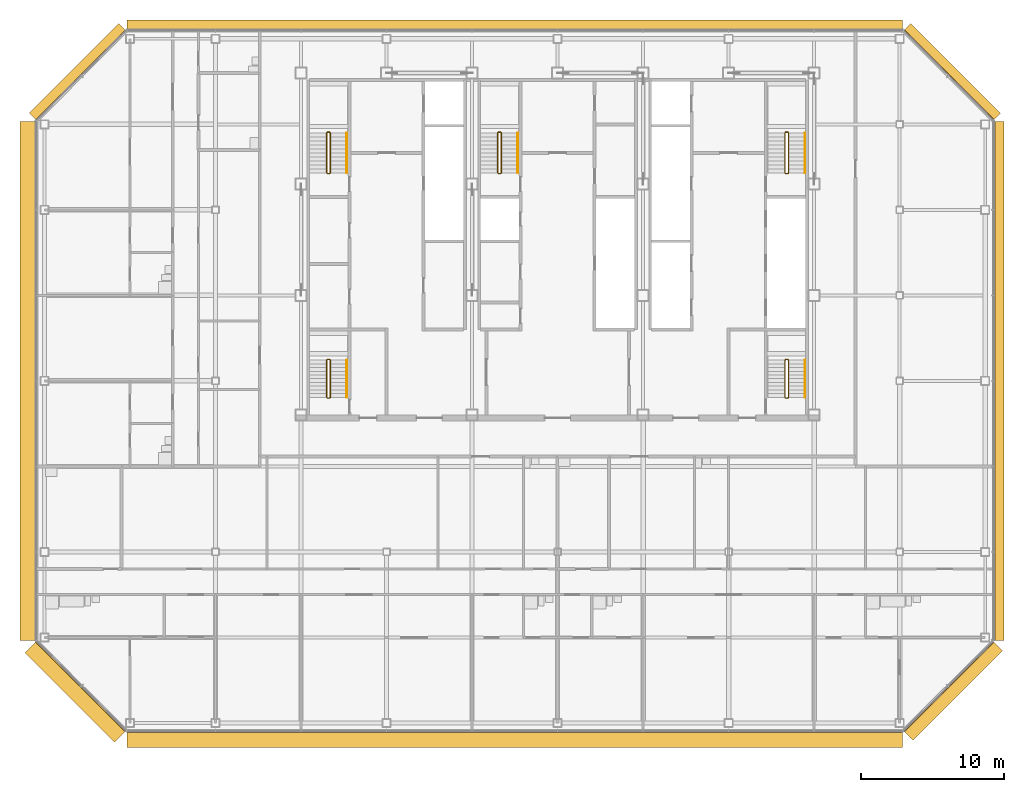
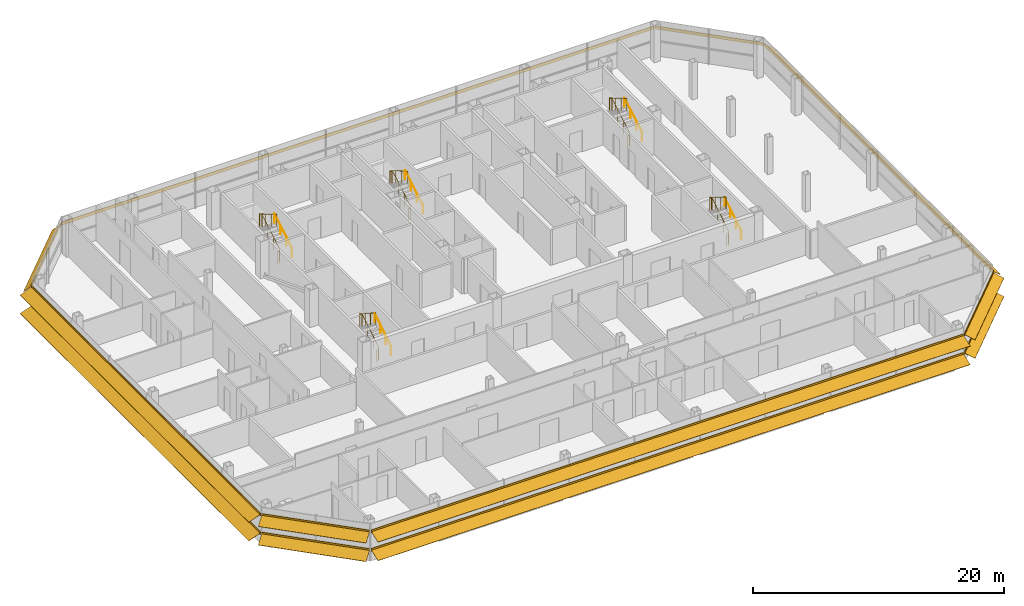
# One storey, part 27 of 28: 10 railings, 8 shading devices.
"""IFC4 building model written with IfcOpenShell, lengths in metres."""

from ifc_helpers import new_model, si_unit, direction, frame, origin, origin_2d, place, context, subcontext, project, spatial, polyline, circle, outline, composite_profile, extrude, material, type_object, element, save


model = new_model("IFC4")

# Units and contexts
model_context = context("Model", 3, precision=1e-05, world=origin(), true_north=direction((0.0, 1.0)))
body_context = subcontext(model_context, "Body", "Model", "MODEL_VIEW")
ifc_project = project(units=[si_unit("LENGTHUNIT", "METRE"), si_unit("AREAUNIT", "SQUARE_METRE"), si_unit("VOLUMEUNIT", "CUBIC_METRE"), si_unit("PLANEANGLEUNIT", "RADIAN"), si_unit("MASSUNIT", "GRAM", prefix="KILO")], contexts=[model_context])

# Site, building, storey
site_placement = place(None, origin())
site = spatial("IfcSite", under=ifc_project, at=site_placement, CompositionType="ELEMENT")
building_placement = place(site_placement, origin())
building = spatial("IfcBuilding", under=site, at=building_placement, Name="Sorahane Residences", CompositionType="ELEMENT")
storey_placement = place(building_placement, frame((0.0, 0.0, 273.800048828125)))
storey = spatial("IfcBuildingStorey", under=building, at=storey_placement, Name="L65", CompositionType="ELEMENT", Elevation=273.800048828125)

# Shading devices
ifc_material_1 = material(Name="Terracotta anodised aluminium", Category="masonry")
shading_device_type_1 = type_object("IfcShadingDeviceType", Name="Louvre sunshade blade E terracotta aluminium 700", PredefinedType="JALOUSIE", material=ifc_material_1)
shading_device_1_placement = place(storey_placement, frame((54.60009765625, 5.801513671875, 2.699951171875), z_axis=(0.0, 1.0, 0.0), x_axis=(-1.0, 0.0, 0.0)))
element("IfcShadingDevice", 1, at=shading_device_1_placement, inside=storey, type_object=shading_device_type_1, Name="Louvre sunshade blade bank E L65 E1", PredefinedType="JALOUSIE", context=body_context, shape_type="SweptSolid", body=[
    extrude(outline(polyline([(-0.719970703125, -0.49365234375), (-0.719970703125, -0.523681640625), (-0.080078125, -0.05859375), (-0.080078125, -0.14990234375), (-0.02001953125, -0.14990234375), (-0.02001953125, -0.014892578125), (-0.02001953125, 0.014892578125), (-0.02001953125, 0.14990234375), (-0.080078125, 0.14990234375), (-0.080078125, -0.028564453125), (-0.719970703125, -0.49365234375)])), origin(), (0.0, 0.0, 1.0), 36.39697265625),
])
ifc_material_2 = material(Name="Terracotta anodised aluminium", Category="masonry")
shading_device_type_2 = type_object("IfcShadingDeviceType", Name="Louvre sunshade blade N terracotta aluminium 700", PredefinedType="JALOUSIE", material=ifc_material_2)
shading_device_2_placement = place(storey_placement, frame((48.198486328125, 48.60009765625, 2.699951171875), z_axis=(-1.0, 0.0, 0.0), x_axis=(0.0, -1.0, 0.0)))
element("IfcShadingDevice", 2, at=shading_device_2_placement, inside=storey, type_object=shading_device_type_2, Name="Louvre sunshade blade bank N L65 N1", PredefinedType="JALOUSIE", context=body_context, shape_type="SweptSolid", body=[
    extrude(outline(polyline([(-0.719970703125, -0.660888671875), (-0.719970703125, -0.69091796875), (-0.080078125, -0.072998046875), (-0.080078125, -0.14990234375), (-0.02001953125, -0.14990234375), (-0.02001953125, -0.014892578125), (-0.02001953125, 0.014892578125), (-0.02001953125, 0.14990234375), (-0.080078125, 0.14990234375), (-0.080078125, -0.04296875), (-0.719970703125, -0.660888671875)])), origin(), (0.0, 0.0, 1.0), 54.39697265625),
])
ifc_material_3 = material(Name="Terracotta anodised aluminium", Category="masonry")
shading_device_type_3 = type_object("IfcShadingDeviceType", Name="Louvre sunshade blade NE terracotta aluminium 700", PredefinedType="JALOUSIE", material=ifc_material_3)
shading_device_3_placement = place(storey_placement, frame((54.564697265625, 42.283935546875, 2.699951171875), z_axis=(-0.707106781187, 0.707106781187, 0.0), x_axis=(-0.707106781187, -0.707106781187, 0.0)))
element("IfcShadingDevice", 3, at=shading_device_3_placement, inside=storey, type_object=shading_device_type_3, Name="Louvre sunshade blade bank NE L65 NE1", PredefinedType="JALOUSIE", context=body_context, shape_type="SweptSolid", body=[
    extrude(outline(polyline([(-0.719970703125, -0.572509765625), (-0.719970703125, -0.602294921875), (-0.080078125, -0.065185546875), (-0.080078125, -0.14990234375), (-0.02001953125, -0.14990234375), (-0.02001953125, -0.014892578125), (-0.02001953125, 0.014892578125), (-0.02001953125, 0.14990234375), (-0.080078125, 0.14990234375), (-0.080078125, -0.035400390625), (-0.719970703125, -0.572509765625)])), origin(), (0.0, 0.0, 1.0), 8.88232421875),
])
ifc_material_4 = material(Name="Terracotta anodised aluminium", Category="masonry")
shading_device_type_4 = type_object("IfcShadingDeviceType", Name="Louvre sunshade blade NW terracotta aluminium 700", PredefinedType="JALOUSIE", material=ifc_material_4)
shading_device_4_placement = place(storey_placement, frame((-6.283935546875, 48.564697265625, 2.699951171875), z_axis=(-0.707106781187, -0.707106781187, 0.0), x_axis=(0.707106781187, -0.707106781187, 0.0)))
element("IfcShadingDevice", 4, at=shading_device_4_placement, inside=storey, type_object=shading_device_type_4, Name="Louvre sunshade blade bank NW L65 NW1", PredefinedType="JALOUSIE", context=body_context, shape_type="SweptSolid", body=[
    extrude(outline(polyline([(-0.719970703125, -0.660888671875), (-0.719970703125, -0.69091796875), (-0.080078125, -0.072998046875), (-0.080078125, -0.14990234375), (-0.02001953125, -0.14990234375), (-0.02001953125, -0.014892578125), (-0.02001953125, 0.014892578125), (-0.02001953125, 0.14990234375), (-0.080078125, 0.14990234375), (-0.080078125, -0.04296875), (-0.719970703125, -0.660888671875)])), origin(), (0.0, 0.0, 1.0), 8.88232421875),
])
ifc_material_5 = material(Name="Terracotta anodised aluminium", Category="masonry")
shading_device_type_5 = type_object("IfcShadingDeviceType", Name="Louvre sunshade blade S terracotta aluminium 1100", PredefinedType="JALOUSIE", material=ifc_material_5)
shading_device_5_placement = place(storey_placement, frame((-6.198486328125, -0.60009765625, 0.89990234375), z_axis=(1.0, 0.0, 0.0), x_axis=(0.0, 1.0, 0.0)))
element("IfcShadingDevice", 5, at=shading_device_5_placement, inside=storey, type_object=shading_device_type_5, Name="Louvre sunshade blade bank S L65 S1", PredefinedType="JALOUSIE", context=body_context, shape_type="SweptSolid", body=[
    extrude(composite_profile([outline(polyline([(-1.1201171875, -0.385498046875), (-1.1201171875, -0.415283203125), (-0.080078125, -0.036865234375), (-0.080078125, -0.14990234375), (-0.02001953125, -0.14990234375), (-0.02001953125, -0.014892578125), (-0.02001953125, 0.014892578125), (-0.02001953125, 0.14990234375), (-0.080078125, 0.14990234375), (-0.080078125, -0.0068359375), (-1.1201171875, -0.385498046875)])), outline(polyline([(-1.1201171875, 1.41455078125), (-1.1201171875, 1.384521484375), (-0.080078125, 1.76318359375), (-0.080078125, 1.64990234375), (-0.02001953125, 1.64990234375), (-0.02001953125, 1.784912109375), (-0.02001953125, 1.81494140625), (-0.02001953125, 1.949951171875), (-0.080078125, 1.949951171875), (-0.080078125, 1.793212890625), (-1.1201171875, 1.41455078125)]))]), origin(), (0.0, 0.0, 1.0), 54.39697265625),
])
ifc_material_6 = material(Name="Terracotta anodised aluminium", Category="masonry")
shading_device_type_6 = type_object("IfcShadingDeviceType", Name="Louvre sunshade blade SE terracotta aluminium 900", PredefinedType="JALOUSIE", material=ifc_material_6)
shading_device_6_placement = place(storey_placement, frame((48.283935546875, -0.564697265625, 0.89990234375), z_axis=(0.707106781187, 0.707106781187, 0.0), x_axis=(-0.707106781187, 0.707106781187, 0.0)))
element("IfcShadingDevice", 6, at=shading_device_6_placement, inside=storey, type_object=shading_device_type_6, Name="Louvre sunshade blade bank SE L65 SE1", PredefinedType="JALOUSIE", context=body_context, shape_type="SweptSolid", body=[
    extrude(composite_profile([outline(polyline([(-0.919921875, -0.3486328125), (-0.919921875, -0.378662109375), (-0.080078125, -0.039306640625), (-0.080078125, -0.14990234375), (-0.02001953125, -0.14990234375), (-0.02001953125, -0.014892578125), (-0.02001953125, 0.014892578125), (-0.02001953125, 0.14990234375), (-0.080078125, 0.14990234375), (-0.080078125, -0.00927734375), (-0.919921875, -0.3486328125)])), outline(polyline([(-0.919921875, 1.451416015625), (-0.919921875, 1.42138671875), (-0.080078125, 1.7607421875), (-0.080078125, 1.64990234375), (-0.02001953125, 1.64990234375), (-0.02001953125, 1.784912109375), (-0.02001953125, 1.81494140625), (-0.02001953125, 1.949951171875), (-0.080078125, 1.949951171875), (-0.080078125, 1.790771484375), (-0.919921875, 1.451416015625)]))]), origin(), (0.0, 0.0, 1.0), 8.88232421875),
])
ifc_material_7 = material(Name="Terracotta anodised aluminium", Category="masonry")
shading_device_type_7 = type_object("IfcShadingDeviceType", Name="Louvre sunshade blade SW terracotta aluminium 1100", PredefinedType="JALOUSIE", material=ifc_material_7)
shading_device_7_placement = place(storey_placement, frame((-12.564697265625, 5.716064453125, 0.89990234375), z_axis=(0.707106781187, -0.707106781187, 0.0), x_axis=(0.707106781187, 0.707106781187, 0.0)))
element("IfcShadingDevice", 7, at=shading_device_7_placement, inside=storey, type_object=shading_device_type_7, Name="Louvre sunshade blade bank SW L65 SW1", PredefinedType="JALOUSIE", context=body_context, shape_type="SweptSolid", body=[
    extrude(composite_profile([outline(polyline([(-1.1201171875, -0.385498046875), (-1.1201171875, -0.415283203125), (-0.080078125, -0.036865234375), (-0.080078125, -0.14990234375), (-0.02001953125, -0.14990234375), (-0.02001953125, -0.014892578125), (-0.02001953125, 0.014892578125), (-0.02001953125, 0.14990234375), (-0.080078125, 0.14990234375), (-0.080078125, -0.0068359375), (-1.1201171875, -0.385498046875)])), outline(polyline([(-1.1201171875, 1.41455078125), (-1.1201171875, 1.384521484375), (-0.080078125, 1.76318359375), (-0.080078125, 1.64990234375), (-0.02001953125, 1.64990234375), (-0.02001953125, 1.784912109375), (-0.02001953125, 1.81494140625), (-0.02001953125, 1.949951171875), (-0.080078125, 1.949951171875), (-0.080078125, 1.793212890625), (-1.1201171875, 1.41455078125)]))]), origin(), (0.0, 0.0, 1.0), 8.88232421875),
])
ifc_material_8 = material(Name="Terracotta anodised aluminium", Category="masonry")
shading_device_type_8 = type_object("IfcShadingDeviceType", Name="Louvre sunshade blade W terracotta aluminium 1100", PredefinedType="JALOUSIE", material=ifc_material_8)
shading_device_8_placement = place(storey_placement, frame((-12.60009765625, 42.198486328125, 0.89990234375), z_axis=(0.0, -1.0, 0.0), x_axis=(1.0, 0.0, 0.0)))
element("IfcShadingDevice", 8, at=shading_device_8_placement, inside=storey, type_object=shading_device_type_8, Name="Louvre sunshade blade bank W L65 W1", PredefinedType="JALOUSIE", context=body_context, shape_type="SweptSolid", body=[
    extrude(composite_profile([outline(polyline([(-1.1201171875, -0.385498046875), (-1.1201171875, -0.415283203125), (-0.080078125, -0.036865234375), (-0.080078125, -0.14990234375), (-0.02001953125, -0.14990234375), (-0.02001953125, -0.014892578125), (-0.02001953125, 0.014892578125), (-0.02001953125, 0.14990234375), (-0.080078125, 0.14990234375), (-0.080078125, -0.0068359375), (-1.1201171875, -0.385498046875)])), outline(polyline([(-1.1201171875, 1.41455078125), (-1.1201171875, 1.384521484375), (-0.080078125, 1.76318359375), (-0.080078125, 1.64990234375), (-0.02001953125, 1.64990234375), (-0.02001953125, 1.784912109375), (-0.02001953125, 1.81494140625), (-0.02001953125, 1.949951171875), (-0.080078125, 1.949951171875), (-0.080078125, 1.793212890625), (-1.1201171875, 1.41455078125)]))]), origin(), (0.0, 0.0, 1.0), 36.39697265625),
])

# Railings
ifc_material_9 = material(Name="Steel Q355B", Category="steel")
railing_type_1 = type_object("IfcRailingType", Name="Stair guard 1200 Steel Q355B", PredefinedType="GUARDRAIL", material=ifc_material_9)
railing_1_placement = place(storey_placement, frame((7.85009765625, 38.550048828125, 0.0)))
element("IfcRailing", 9, at=railing_1_placement, inside=storey, type_object=railing_type_1, Name="L65 S1 stair guard 1", PredefinedType="GUARDRAIL", context=body_context, shape_type="SweptSolid", body=[
    extrude(circle(Radius=0.02392578125, at=origin_2d()), frame((0.0, 0.0, 1.17578125), z_axis=(1.0, 0.0, 0.0), x_axis=(0.0, 1.0, 0.0)), (0.0, 0.0, 1.0), 0.14990234375),
    extrude(circle(Radius=0.02392578125, at=origin_2d()), frame((0.14990234375, 0.0, 1.17578125), z_axis=(0.280808744504, 0.280808744504, 0.917765164963), x_axis=(-0.707106781187, 0.707106781187, 0.0)), (0.0, 0.0, 1.0), 0.17822265625),
    extrude(circle(Radius=0.02392578125, at=origin_2d()), frame((0.199951171875, 0.050048828125, 1.33935546875), z_axis=(0.0, 0.863341702679, 0.504619762213), x_axis=(-1.0, 0.0, 0.0)), (0.0, 0.0, 1.0), 3.242919921875),
    extrude(circle(Radius=0.02392578125, at=origin_2d()), frame((0.199951171875, 2.849853515625, 2.97607421875), z_axis=(-0.707106781187, 0.707106781187, 0.0), x_axis=(-0.707106781187, -0.707106781187, 0.0)), (0.0, 0.0, 1.0), 0.07080078125),
    extrude(circle(Radius=0.02392578125, at=origin_2d()), frame((0.14990234375, 2.89990234375, 2.97607421875), z_axis=(-1.0, 0.0, 0.0), x_axis=(0.0, -1.0, 0.0)), (0.0, 0.0, 1.0), 0.14990234375),
    extrude(circle(Radius=0.02392578125, at=origin_2d()), frame((0.0, 2.89990234375, 2.97607421875), z_axis=(-0.280808744504, -0.280808744504, 0.917765164963), x_axis=(0.707106781187, -0.707106781187, 0.0)), (0.0, 0.0, 1.0), 0.17822265625),
    extrude(circle(Radius=0.02392578125, at=origin_2d()), frame((-0.050048828125, 2.849853515625, 3.1396484375), z_axis=(0.0, -0.863374499697, 0.504563646405), x_axis=(1.0, 0.0, 0.0)), (0.0, 0.0, 1.0), 3.242919921875),
    extrude(circle(Radius=0.02099609375, at=origin_2d()), origin(), (0.0, 0.0, 1.0), 1.15185546875),
    extrude(circle(Radius=0.02099609375, at=origin_2d()), frame((0.14990234375, 0.0, 0.0)), (0.0, 0.0, 1.0), 1.15185546875),
    extrude(circle(Radius=0.02099609375, at=origin_2d()), frame((0.199951171875, 0.050048828125, 0.16357421875)), (0.0, 0.0, 1.0), 1.15185546875),
    extrude(circle(Radius=0.02099609375, at=origin_2d()), frame((0.199951171875, 0.9833984375, 0.708984375)), (0.0, 0.0, 1.0), 1.15185546875),
    extrude(circle(Radius=0.02099609375, at=origin_2d()), frame((0.199951171875, 1.91650390625, 1.254638671875)), (0.0, 0.0, 1.0), 1.15185546875),
    extrude(circle(Radius=0.02099609375, at=origin_2d()), frame((0.199951171875, 2.849853515625, 1.800048828125)), (0.0, 0.0, 1.0), 1.15185546875),
    extrude(circle(Radius=0.02099609375, at=origin_2d()), frame((0.14990234375, 2.89990234375, 1.800048828125)), (0.0, 0.0, 1.0), 1.15185546875),
    extrude(circle(Radius=0.02099609375, at=origin_2d()), frame((0.0, 2.89990234375, 1.800048828125)), (0.0, 0.0, 1.0), 1.15185546875),
    extrude(circle(Radius=0.02099609375, at=origin_2d()), frame((-0.050048828125, 2.849853515625, 1.963623046875)), (0.0, 0.0, 1.0), 1.15185546875),
    extrude(circle(Radius=0.02099609375, at=origin_2d()), frame((-0.050048828125, 1.91650390625, 2.509033203125)), (0.0, 0.0, 1.0), 1.15185546875),
    extrude(circle(Radius=0.02099609375, at=origin_2d()), frame((-0.050048828125, 0.9833984375, 3.054443359375)), (0.0, 0.0, 1.0), 1.15185546875),
    extrude(circle(Radius=0.02099609375, at=origin_2d()), frame((-0.050048828125, 0.050048828125, 3.599853515625)), (0.0, 0.0, 1.0), 1.15185546875),
])
railing_2_placement = place(storey_placement, frame((40.0, 38.550048828125, 0.0)))
element("IfcRailing", 10, at=railing_2_placement, inside=storey, type_object=railing_type_1, Name="L65 S2 stair guard 1", PredefinedType="GUARDRAIL", context=body_context, shape_type="SweptSolid", body=[
    extrude(circle(Radius=0.02392578125, at=origin_2d()), frame((0.0, 0.0, 1.17578125), z_axis=(1.0, 0.0, 0.0), x_axis=(0.0, 1.0, 0.0)), (0.0, 0.0, 1.0), 0.14990234375),
    extrude(circle(Radius=0.02392578125, at=origin_2d()), frame((0.14990234375, 0.0, 1.17578125), z_axis=(0.280808744504, 0.280808744504, 0.917765164963), x_axis=(-0.707106781187, 0.707106781187, 0.0)), (0.0, 0.0, 1.0), 0.17822265625),
    extrude(circle(Radius=0.02392578125, at=origin_2d()), frame((0.199951171875, 0.050048828125, 1.33935546875), z_axis=(0.0, 0.863341702679, 0.504619762213), x_axis=(-1.0, 0.0, 0.0)), (0.0, 0.0, 1.0), 3.242919921875),
    extrude(circle(Radius=0.02392578125, at=origin_2d()), frame((0.199951171875, 2.849853515625, 2.97607421875), z_axis=(-0.707106781187, 0.707106781187, 0.0), x_axis=(-0.707106781187, -0.707106781187, 0.0)), (0.0, 0.0, 1.0), 0.07080078125),
    extrude(circle(Radius=0.02392578125, at=origin_2d()), frame((0.14990234375, 2.89990234375, 2.97607421875), z_axis=(-1.0, 0.0, 0.0), x_axis=(0.0, -1.0, 0.0)), (0.0, 0.0, 1.0), 0.14990234375),
    extrude(circle(Radius=0.02392578125, at=origin_2d()), frame((0.0, 2.89990234375, 2.97607421875), z_axis=(-0.280808744504, -0.280808744504, 0.917765164963), x_axis=(0.707106781187, -0.707106781187, 0.0)), (0.0, 0.0, 1.0), 0.17822265625),
    extrude(circle(Radius=0.02392578125, at=origin_2d()), frame((-0.050048828125, 2.849853515625, 3.1396484375), z_axis=(0.0, -0.863374499697, 0.504563646405), x_axis=(1.0, 0.0, 0.0)), (0.0, 0.0, 1.0), 3.242919921875),
    extrude(circle(Radius=0.02099609375, at=origin_2d()), origin(), (0.0, 0.0, 1.0), 1.15185546875),
    extrude(circle(Radius=0.02099609375, at=origin_2d()), frame((0.14990234375, 0.0, 0.0)), (0.0, 0.0, 1.0), 1.15185546875),
    extrude(circle(Radius=0.02099609375, at=origin_2d()), frame((0.199951171875, 0.050048828125, 0.16357421875)), (0.0, 0.0, 1.0), 1.15185546875),
    extrude(circle(Radius=0.02099609375, at=origin_2d()), frame((0.199951171875, 0.9833984375, 0.708984375)), (0.0, 0.0, 1.0), 1.15185546875),
    extrude(circle(Radius=0.02099609375, at=origin_2d()), frame((0.199951171875, 1.91650390625, 1.254638671875)), (0.0, 0.0, 1.0), 1.15185546875),
    extrude(circle(Radius=0.02099609375, at=origin_2d()), frame((0.199951171875, 2.849853515625, 1.800048828125)), (0.0, 0.0, 1.0), 1.15185546875),
    extrude(circle(Radius=0.02099609375, at=origin_2d()), frame((0.14990234375, 2.89990234375, 1.800048828125)), (0.0, 0.0, 1.0), 1.15185546875),
    extrude(circle(Radius=0.02099609375, at=origin_2d()), frame((0.0, 2.89990234375, 1.800048828125)), (0.0, 0.0, 1.0), 1.15185546875),
    extrude(circle(Radius=0.02099609375, at=origin_2d()), frame((-0.050048828125, 2.849853515625, 1.963623046875)), (0.0, 0.0, 1.0), 1.15185546875),
    extrude(circle(Radius=0.02099609375, at=origin_2d()), frame((-0.050048828125, 1.91650390625, 2.509033203125)), (0.0, 0.0, 1.0), 1.15185546875),
    extrude(circle(Radius=0.02099609375, at=origin_2d()), frame((-0.050048828125, 0.9833984375, 3.054443359375)), (0.0, 0.0, 1.0), 1.15185546875),
    extrude(circle(Radius=0.02099609375, at=origin_2d()), frame((-0.050048828125, 0.050048828125, 3.599853515625)), (0.0, 0.0, 1.0), 1.15185546875),
])
railing_3_placement = place(storey_placement, frame((19.85009765625, 38.550048828125, 0.0)))
element("IfcRailing", 11, at=railing_3_placement, inside=storey, type_object=railing_type_1, Name="L65 S3 stair guard 1", PredefinedType="GUARDRAIL", context=body_context, shape_type="SweptSolid", body=[
    extrude(circle(Radius=0.02392578125, at=origin_2d()), frame((0.0, 0.0, 1.17578125), z_axis=(1.0, 0.0, 0.0), x_axis=(0.0, 1.0, 0.0)), (0.0, 0.0, 1.0), 0.14990234375),
    extrude(circle(Radius=0.02392578125, at=origin_2d()), frame((0.14990234375, 0.0, 1.17578125), z_axis=(0.280808744504, 0.280808744504, 0.917765164963), x_axis=(-0.707106781187, 0.707106781187, 0.0)), (0.0, 0.0, 1.0), 0.17822265625),
    extrude(circle(Radius=0.02392578125, at=origin_2d()), frame((0.199951171875, 0.050048828125, 1.33935546875), z_axis=(0.0, 0.863341702679, 0.504619762213), x_axis=(-1.0, 0.0, 0.0)), (0.0, 0.0, 1.0), 3.242919921875),
    extrude(circle(Radius=0.02392578125, at=origin_2d()), frame((0.199951171875, 2.849853515625, 2.97607421875), z_axis=(-0.707106781187, 0.707106781187, 0.0), x_axis=(-0.707106781187, -0.707106781187, 0.0)), (0.0, 0.0, 1.0), 0.07080078125),
    extrude(circle(Radius=0.02392578125, at=origin_2d()), frame((0.14990234375, 2.89990234375, 2.97607421875), z_axis=(-1.0, 0.0, 0.0), x_axis=(0.0, -1.0, 0.0)), (0.0, 0.0, 1.0), 0.14990234375),
    extrude(circle(Radius=0.02392578125, at=origin_2d()), frame((0.0, 2.89990234375, 2.97607421875), z_axis=(-0.280808744504, -0.280808744504, 0.917765164963), x_axis=(0.707106781187, -0.707106781187, 0.0)), (0.0, 0.0, 1.0), 0.17822265625),
    extrude(circle(Radius=0.02392578125, at=origin_2d()), frame((-0.050048828125, 2.849853515625, 3.1396484375), z_axis=(0.0, -0.863374499697, 0.504563646405), x_axis=(1.0, 0.0, 0.0)), (0.0, 0.0, 1.0), 3.242919921875),
    extrude(circle(Radius=0.02099609375, at=origin_2d()), origin(), (0.0, 0.0, 1.0), 1.15185546875),
    extrude(circle(Radius=0.02099609375, at=origin_2d()), frame((0.14990234375, 0.0, 0.0)), (0.0, 0.0, 1.0), 1.15185546875),
    extrude(circle(Radius=0.02099609375, at=origin_2d()), frame((0.199951171875, 0.050048828125, 0.16357421875)), (0.0, 0.0, 1.0), 1.15185546875),
    extrude(circle(Radius=0.02099609375, at=origin_2d()), frame((0.199951171875, 0.9833984375, 0.708984375)), (0.0, 0.0, 1.0), 1.15185546875),
    extrude(circle(Radius=0.02099609375, at=origin_2d()), frame((0.199951171875, 1.91650390625, 1.254638671875)), (0.0, 0.0, 1.0), 1.15185546875),
    extrude(circle(Radius=0.02099609375, at=origin_2d()), frame((0.199951171875, 2.849853515625, 1.800048828125)), (0.0, 0.0, 1.0), 1.15185546875),
    extrude(circle(Radius=0.02099609375, at=origin_2d()), frame((0.14990234375, 2.89990234375, 1.800048828125)), (0.0, 0.0, 1.0), 1.15185546875),
    extrude(circle(Radius=0.02099609375, at=origin_2d()), frame((0.0, 2.89990234375, 1.800048828125)), (0.0, 0.0, 1.0), 1.15185546875),
    extrude(circle(Radius=0.02099609375, at=origin_2d()), frame((-0.050048828125, 2.849853515625, 1.963623046875)), (0.0, 0.0, 1.0), 1.15185546875),
    extrude(circle(Radius=0.02099609375, at=origin_2d()), frame((-0.050048828125, 1.91650390625, 2.509033203125)), (0.0, 0.0, 1.0), 1.15185546875),
    extrude(circle(Radius=0.02099609375, at=origin_2d()), frame((-0.050048828125, 0.9833984375, 3.054443359375)), (0.0, 0.0, 1.0), 1.15185546875),
    extrude(circle(Radius=0.02099609375, at=origin_2d()), frame((-0.050048828125, 0.050048828125, 3.599853515625)), (0.0, 0.0, 1.0), 1.15185546875),
])
railing_4_placement = place(storey_placement, frame((7.85009765625, 22.800048828125, 0.0)))
element("IfcRailing", 12, at=railing_4_placement, inside=storey, type_object=railing_type_1, Name="L65 S4 stair guard 1", PredefinedType="GUARDRAIL", context=body_context, shape_type="SweptSolid", body=[
    extrude(circle(Radius=0.02392578125, at=origin_2d()), frame((0.0, 0.0, 1.17578125), z_axis=(1.0, 0.0, 0.0), x_axis=(0.0, 1.0, 0.0)), (0.0, 0.0, 1.0), 0.14990234375),
    extrude(circle(Radius=0.02392578125, at=origin_2d()), frame((0.14990234375, 0.0, 1.17578125), z_axis=(0.280808744504, 0.280808744504, 0.917765164963), x_axis=(-0.707106781187, 0.707106781187, 0.0)), (0.0, 0.0, 1.0), 0.17822265625),
    extrude(circle(Radius=0.02392578125, at=origin_2d()), frame((0.199951171875, 0.050048828125, 1.33935546875), z_axis=(0.0, 0.846301844409, 0.532703658848), x_axis=(-1.0, 0.0, 0.0)), (0.0, 0.0, 1.0), 3.072021484375),
    extrude(circle(Radius=0.02392578125, at=origin_2d()), frame((0.199951171875, 2.64990234375, 2.97607421875), z_axis=(-0.707106781187, 0.707106781187, 0.0), x_axis=(-0.707106781187, -0.707106781187, 0.0)), (0.0, 0.0, 1.0), 0.07080078125),
    extrude(circle(Radius=0.02392578125, at=origin_2d()), frame((0.14990234375, 2.699951171875, 2.97607421875), z_axis=(-1.0, 0.0, 0.0), x_axis=(0.0, -1.0, 0.0)), (0.0, 0.0, 1.0), 0.14990234375),
    extrude(circle(Radius=0.02392578125, at=origin_2d()), frame((0.0, 2.699951171875, 2.97607421875), z_axis=(-0.280808744504, -0.280808744504, 0.917765164963), x_axis=(0.707106781187, -0.707106781187, 0.0)), (0.0, 0.0, 1.0), 0.17822265625),
    extrude(circle(Radius=0.02392578125, at=origin_2d()), frame((-0.050048828125, 2.64990234375, 3.1396484375), z_axis=(0.0, -0.846337672412, 0.532646734952), x_axis=(1.0, 0.0, 0.0)), (0.0, 0.0, 1.0), 3.07177734375),
    extrude(circle(Radius=0.02099609375, at=origin_2d()), origin(), (0.0, 0.0, 1.0), 1.15185546875),
    extrude(circle(Radius=0.02099609375, at=origin_2d()), frame((0.14990234375, 0.0, 0.0)), (0.0, 0.0, 1.0), 1.15185546875),
    extrude(circle(Radius=0.02099609375, at=origin_2d()), frame((0.199951171875, 0.050048828125, 0.16357421875)), (0.0, 0.0, 1.0), 1.15185546875),
    extrude(circle(Radius=0.02099609375, at=origin_2d()), frame((0.199951171875, 0.916748046875, 0.708984375)), (0.0, 0.0, 1.0), 1.15185546875),
    extrude(circle(Radius=0.02099609375, at=origin_2d()), frame((0.199951171875, 1.783203125, 1.254638671875)), (0.0, 0.0, 1.0), 1.15185546875),
    extrude(circle(Radius=0.02099609375, at=origin_2d()), frame((0.199951171875, 2.64990234375, 1.800048828125)), (0.0, 0.0, 1.0), 1.15185546875),
    extrude(circle(Radius=0.02099609375, at=origin_2d()), frame((0.14990234375, 2.699951171875, 1.800048828125)), (0.0, 0.0, 1.0), 1.15185546875),
    extrude(circle(Radius=0.02099609375, at=origin_2d()), frame((0.0, 2.699951171875, 1.800048828125)), (0.0, 0.0, 1.0), 1.15185546875),
    extrude(circle(Radius=0.02099609375, at=origin_2d()), frame((-0.050048828125, 2.64990234375, 1.963623046875)), (0.0, 0.0, 1.0), 1.15185546875),
    extrude(circle(Radius=0.02099609375, at=origin_2d()), frame((-0.050048828125, 1.783203125, 2.509033203125)), (0.0, 0.0, 1.0), 1.15185546875),
    extrude(circle(Radius=0.02099609375, at=origin_2d()), frame((-0.050048828125, 0.916748046875, 3.054443359375)), (0.0, 0.0, 1.0), 1.15185546875),
    extrude(circle(Radius=0.02099609375, at=origin_2d()), frame((-0.050048828125, 0.050048828125, 3.599853515625)), (0.0, 0.0, 1.0), 1.15185546875),
])
railing_5_placement = place(storey_placement, frame((40.0, 22.800048828125, 0.0)))
element("IfcRailing", 13, at=railing_5_placement, inside=storey, type_object=railing_type_1, Name="L65 S5 stair guard 1", PredefinedType="GUARDRAIL", context=body_context, shape_type="SweptSolid", body=[
    extrude(circle(Radius=0.02392578125, at=origin_2d()), frame((0.0, 0.0, 1.17578125), z_axis=(1.0, 0.0, 0.0), x_axis=(0.0, 1.0, 0.0)), (0.0, 0.0, 1.0), 0.14990234375),
    extrude(circle(Radius=0.02392578125, at=origin_2d()), frame((0.14990234375, 0.0, 1.17578125), z_axis=(0.280808744504, 0.280808744504, 0.917765164963), x_axis=(-0.707106781187, 0.707106781187, 0.0)), (0.0, 0.0, 1.0), 0.17822265625),
    extrude(circle(Radius=0.02392578125, at=origin_2d()), frame((0.199951171875, 0.050048828125, 1.33935546875), z_axis=(0.0, 0.846301844409, 0.532703658848), x_axis=(-1.0, 0.0, 0.0)), (0.0, 0.0, 1.0), 3.072021484375),
    extrude(circle(Radius=0.02392578125, at=origin_2d()), frame((0.199951171875, 2.64990234375, 2.97607421875), z_axis=(-0.707106781187, 0.707106781187, 0.0), x_axis=(-0.707106781187, -0.707106781187, 0.0)), (0.0, 0.0, 1.0), 0.07080078125),
    extrude(circle(Radius=0.02392578125, at=origin_2d()), frame((0.14990234375, 2.699951171875, 2.97607421875), z_axis=(-1.0, 0.0, 0.0), x_axis=(0.0, -1.0, 0.0)), (0.0, 0.0, 1.0), 0.14990234375),
    extrude(circle(Radius=0.02392578125, at=origin_2d()), frame((0.0, 2.699951171875, 2.97607421875), z_axis=(-0.280808744504, -0.280808744504, 0.917765164963), x_axis=(0.707106781187, -0.707106781187, 0.0)), (0.0, 0.0, 1.0), 0.17822265625),
    extrude(circle(Radius=0.02392578125, at=origin_2d()), frame((-0.050048828125, 2.64990234375, 3.1396484375), z_axis=(0.0, -0.846337672412, 0.532646734952), x_axis=(1.0, 0.0, 0.0)), (0.0, 0.0, 1.0), 3.07177734375),
    extrude(circle(Radius=0.02099609375, at=origin_2d()), origin(), (0.0, 0.0, 1.0), 1.15185546875),
    extrude(circle(Radius=0.02099609375, at=origin_2d()), frame((0.14990234375, 0.0, 0.0)), (0.0, 0.0, 1.0), 1.15185546875),
    extrude(circle(Radius=0.02099609375, at=origin_2d()), frame((0.199951171875, 0.050048828125, 0.16357421875)), (0.0, 0.0, 1.0), 1.15185546875),
    extrude(circle(Radius=0.02099609375, at=origin_2d()), frame((0.199951171875, 0.916748046875, 0.708984375)), (0.0, 0.0, 1.0), 1.15185546875),
    extrude(circle(Radius=0.02099609375, at=origin_2d()), frame((0.199951171875, 1.783203125, 1.254638671875)), (0.0, 0.0, 1.0), 1.15185546875),
    extrude(circle(Radius=0.02099609375, at=origin_2d()), frame((0.199951171875, 2.64990234375, 1.800048828125)), (0.0, 0.0, 1.0), 1.15185546875),
    extrude(circle(Radius=0.02099609375, at=origin_2d()), frame((0.14990234375, 2.699951171875, 1.800048828125)), (0.0, 0.0, 1.0), 1.15185546875),
    extrude(circle(Radius=0.02099609375, at=origin_2d()), frame((0.0, 2.699951171875, 1.800048828125)), (0.0, 0.0, 1.0), 1.15185546875),
    extrude(circle(Radius=0.02099609375, at=origin_2d()), frame((-0.050048828125, 2.64990234375, 1.963623046875)), (0.0, 0.0, 1.0), 1.15185546875),
    extrude(circle(Radius=0.02099609375, at=origin_2d()), frame((-0.050048828125, 1.783203125, 2.509033203125)), (0.0, 0.0, 1.0), 1.15185546875),
    extrude(circle(Radius=0.02099609375, at=origin_2d()), frame((-0.050048828125, 0.916748046875, 3.054443359375)), (0.0, 0.0, 1.0), 1.15185546875),
    extrude(circle(Radius=0.02099609375, at=origin_2d()), frame((-0.050048828125, 0.050048828125, 3.599853515625)), (0.0, 0.0, 1.0), 1.15185546875),
])
ifc_material_10 = material(Name="Steel Q355B", Category="steel")
railing_type_2 = type_object("IfcRailingType", Name="Stair handrail 900 Steel Q355B", PredefinedType="HANDRAIL", material=ifc_material_10)
for number, where, name in (
    (14, (9.199951171875, 38.60009765625, 0.16357421875), "L65 S1 stair handrail 1"),
    (15, (41.35009765625, 38.60009765625, 0.16357421875), "L65 S2 stair handrail 1"),
    (16, (21.199951171875, 38.60009765625, 0.16357421875), "L65 S3 stair handrail 1"),
):
    element("IfcRailing", number, at=place(storey_placement, frame(where)), inside=storey, type_object=railing_type_2, Name=name, PredefinedType="HANDRAIL", context=body_context, shape_type="SweptSolid", body=[
        extrude(circle(Radius=0.02392578125, at=origin_2d()), frame((0.0, 0.0, 0.8759765625), z_axis=(0.0, 0.863341702679, 0.504619762213), x_axis=(-1.0, 0.0, 0.0)), (0.0, 0.0, 1.0), 3.242919921875),
        extrude(circle(Radius=0.02099609375, at=origin_2d()), origin(), (0.0, 0.0, 1.0), 0.851806640625),
        extrude(circle(Radius=0.02099609375, at=origin_2d()), frame((0.0, 0.933349609375, 0.54541015625)), (0.0, 0.0, 1.0), 0.851806640625),
        extrude(circle(Radius=0.02099609375, at=origin_2d()), frame((0.0, 1.866455078125, 1.091064453125)), (0.0, 0.0, 1.0), 0.851806640625),
        extrude(circle(Radius=0.02099609375, at=origin_2d()), frame((0.0, 2.7998046875, 1.636474609375)), (0.0, 0.0, 1.0), 0.851806640625),
    ])
for number, where, name in (
    (17, (9.199951171875, 22.85009765625, 0.16357421875), "L65 S4 stair handrail 1"),
    (18, (41.35009765625, 22.85009765625, 0.16357421875), "L65 S5 stair handrail 1"),
):
    element("IfcRailing", number, at=place(storey_placement, frame(where)), inside=storey, type_object=railing_type_2, Name=name, PredefinedType="HANDRAIL", context=body_context, shape_type="SweptSolid", body=[
        extrude(circle(Radius=0.02392578125, at=origin_2d()), frame((0.0, 0.0, 0.8759765625), z_axis=(0.0, 0.846301844409, 0.532703658848), x_axis=(-1.0, 0.0, 0.0)), (0.0, 0.0, 1.0), 3.072021484375),
        extrude(circle(Radius=0.02099609375, at=origin_2d()), origin(), (0.0, 0.0, 1.0), 0.851806640625),
        extrude(circle(Radius=0.02099609375, at=origin_2d()), frame((0.0, 0.86669921875, 0.54541015625)), (0.0, 0.0, 1.0), 0.851806640625),
        extrude(circle(Radius=0.02099609375, at=origin_2d()), frame((0.0, 1.733154296875, 1.091064453125)), (0.0, 0.0, 1.0), 0.851806640625),
        extrude(circle(Radius=0.02099609375, at=origin_2d()), frame((0.0, 2.599853515625, 1.636474609375)), (0.0, 0.0, 1.0), 0.851806640625),
    ])

save(model, "model.ifc")
